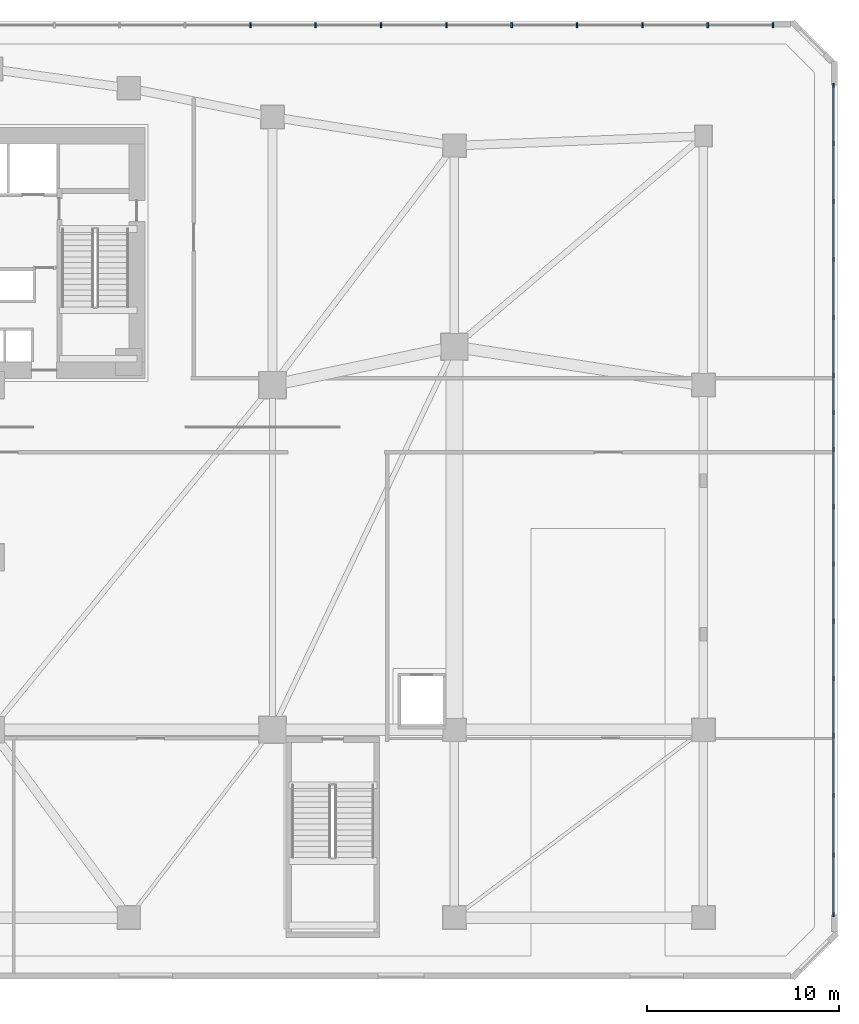
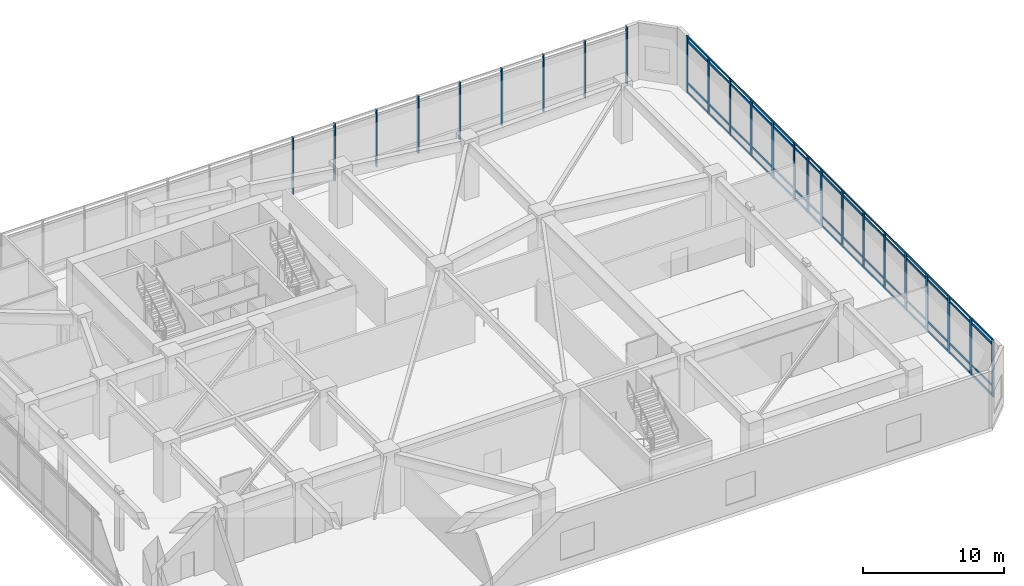
# One storey, part 7 of 16: 29 members, 2 elements without a shape of their own.
"""IFC4 building model written with IfcOpenShell, lengths in metres."""

import ifcopenshell
import ifcopenshell.guid

model = None  # the IFC model being written
_history = None  # IfcOwnerHistory: only IFC2X3 demands one
_inside = {}  # id of a spatial element -> (the spatial element, [elements in it])
_under = {}  # id of a project, library or spatial element -> (it, [spatial elements below it])
_declared = {}  # id of a project -> (the project, [libraries it declares])
_typed = {}  # id of a type object -> (the type object, [elements of that type])
_made_of = {}  # id of a material, layer set ... -> (it, [elements and type objects made of it])


def new_model(schema):
    """Start an empty IFC model of exactly this schema.

    Asked for "IFC4X3", IfcOpenShell would pick the latest addendum, in which some entities
    have other attributes; the version numbers below select the first issue.
    IFC2X3 requires an IfcOwnerHistory on every rooted entity: one is made here for all.
    """
    global model, _history
    if schema == "IFC4X3":
        model = ifcopenshell.file(schema_version=(4, 3, 0, 0))
    else:
        model = ifcopenshell.file(schema=schema)
    _inside.clear()
    _under.clear()
    _declared.clear()
    _typed.clear()
    _made_of.clear()
    _history = None
    if model.schema == "IFC2X3":
        org = make("IfcOrganization", Name="unknown")
        user = make(
            "IfcPersonAndOrganization",
            ThePerson=make("IfcPerson", FamilyName="unknown"),
            TheOrganization=org,
        )
        app = make(
            "IfcApplication",
            ApplicationDeveloper=org,
            Version="unknown",
            ApplicationFullName="unknown",
            ApplicationIdentifier="unknown",
        )
        _history = make(
            "IfcOwnerHistory",
            OwningUser=user,
            OwningApplication=app,
            ChangeAction="ADDED",
            CreationDate=0,
        )
    return model


def make(cls, **values):
    """One entity of the class cls with the attributes given. An attribute that is None is left unset."""
    return model.create_entity(
        cls, **{name: value for name, value in values.items() if value is not None}
    )


def rooted(cls, **values):
    """An entity with a GlobalId (a new one), such as an element, a storey or a relation."""
    return make(cls, GlobalId=ifcopenshell.guid.new(), OwnerHistory=_history, **values)


def si_unit(unit_type, name, prefix=None):
    """IfcSIUnit, for example si_unit("LENGTHUNIT", "METRE", prefix="MILLI")."""
    return make("IfcSIUnit", UnitType=unit_type, Prefix=prefix, Name=name)


def assignment(units):
    """IfcUnitAssignment: the units of a project."""
    return None if units is None else make("IfcUnitAssignment", Units=units)


def point(xyz):
    """IfcCartesianPoint."""
    return None if xyz is None else make("IfcCartesianPoint", Coordinates=xyz)


def direction(xyz):
    """IfcDirection."""
    return None if xyz is None else make("IfcDirection", DirectionRatios=xyz)


def frame(location, z_axis=None, x_axis=None):
    """IfcAxis2Placement3D, a coordinate frame: its origin and axes. An axis left out is left unset."""
    return make(
        "IfcAxis2Placement3D",
        Location=point(location),
        Axis=direction(z_axis),
        RefDirection=direction(x_axis),
    )


def frame_2d(location, x_axis=None):
    """IfcAxis2Placement2D, a coordinate frame in the plane: its origin and x axis."""
    return make(
        "IfcAxis2Placement2D", Location=point(location), RefDirection=direction(x_axis)
    )


def origin():
    """The frame at (0, 0, 0) with its axes left unset."""
    return frame((0.0, 0.0, 0.0))


def origin_2d():
    """The frame at (0, 0) in the plane with its x axis left unset."""
    return frame_2d((0.0, 0.0))


def place(relative_to, where):
    """IfcLocalPlacement: puts the frame where relative to a parent placement (None: the world)."""
    return make(
        "IfcLocalPlacement", PlacementRelTo=relative_to, RelativePlacement=where
    )


def context(
    kind, dimensions, precision=None, world=None, true_north=None, identifier=None
):
    """IfcGeometricRepresentationContext, for example the 3D "Model" context."""
    return make(
        "IfcGeometricRepresentationContext",
        ContextIdentifier=identifier,
        ContextType=kind,
        CoordinateSpaceDimension=dimensions,
        Precision=precision,
        WorldCoordinateSystem=world,
        TrueNorth=true_north,
    )


def subcontext(parent, identifier, kind, view, scale=None):
    """IfcGeometricRepresentationSubContext, for example "Body" below "Model"."""
    return make(
        "IfcGeometricRepresentationSubContext",
        ContextIdentifier=identifier,
        ContextType=kind,
        ParentContext=parent,
        TargetScale=scale,
        TargetView=view,
    )


def project(units=None, contexts=None):
    """IfcProject with its units and contexts."""
    return rooted(
        "IfcProject",
        Name="project",
        RepresentationContexts=contexts,
        UnitsInContext=assignment(units),
    )


def spatial(cls, under=None, at=None, **own):
    """A site, building, storey or space (cls), placed at a placement, below another one or the project."""
    s = rooted(cls, ObjectPlacement=at, **own)
    if under is not None:
        _under.setdefault(under.id(), (under, []))[1].append(s)
    return s


def profile(cls, at=None, kind="AREA", **sizes):
    """A parametric profile (cls). Its sizes go by their IFC names, for example OverallWidth=200.0."""
    return make(cls, ProfileType=kind, Position=at, **sizes)


def rectangle(**sizes):
    """IfcRectangleProfileDef."""
    return profile("IfcRectangleProfileDef", **sizes)


def extrude(swept, where, along, depth):
    """IfcExtrudedAreaSolid: the profile swept, set in the frame where, extruded along a direction by depth."""
    return make(
        "IfcExtrudedAreaSolid",
        SweptArea=swept,
        Position=where,
        ExtrudedDirection=direction(along),
        Depth=depth,
    )


def shape(context_of_items, identifier, shape_type, items):
    """IfcShapeRepresentation: the items that make up one representation, for example the "Body"."""
    return make(
        "IfcShapeRepresentation",
        ContextOfItems=context_of_items,
        RepresentationIdentifier=identifier,
        RepresentationType=shape_type,
        Items=items,
    )


def source(mapping_origin, context_of_items, identifier, shape_type, items):
    """IfcRepresentationMap: a shape defined once, which mapped items show again and again."""
    return make(
        "IfcRepresentationMap",
        MappingOrigin=mapping_origin,
        MappedRepresentation=shape(context_of_items, identifier, shape_type, items),
    )


def transform(
    local_origin,
    x_axis=None,
    y_axis=None,
    z_axis=None,
    scale=None,
    scale2=None,
    scale3=None,
    uniform=True,
):
    """IfcCartesianTransformationOperator3D, or its non-uniform kind. x_axis, y_axis, z_axis: its Axis1, 2, 3."""
    if uniform:
        return make(
            "IfcCartesianTransformationOperator3D",
            Axis1=direction(x_axis),
            Axis2=direction(y_axis),
            LocalOrigin=point(local_origin),
            Scale=scale,
            Axis3=direction(z_axis),
        )
    return make(
        "IfcCartesianTransformationOperator3DnonUniform",
        Axis1=direction(x_axis),
        Axis2=direction(y_axis),
        LocalOrigin=point(local_origin),
        Scale=scale,
        Axis3=direction(z_axis),
        Scale2=scale2,
        Scale3=scale3,
    )


def mapped(mapping_source, mapping_target):
    """IfcMappedItem: shows the shape of a source again, moved by a transform."""
    return make(
        "IfcMappedItem", MappingSource=mapping_source, MappingTarget=mapping_target
    )


def material(Name=None, Category=None):
    """IfcMaterial."""
    return make("IfcMaterial", Name=Name, Category=Category)


def material_profile(
    of_material, cross_section, Name=None, Category=None, Priority=None
):
    """IfcMaterialProfile: a cross section and its material."""
    return make(
        "IfcMaterialProfile",
        Name=Name,
        Material=of_material,
        Profile=cross_section,
        Priority=Priority,
        Category=Category,
    )


def profile_set(profiles, Name=None, composite=None):
    """IfcMaterialProfileSet."""
    return make(
        "IfcMaterialProfileSet",
        Name=Name,
        MaterialProfiles=profiles,
        CompositeProfile=composite,
    )


def made_of(thing, what):
    """Note that an element or type object is made of a material, layer set ...; save() writes the relation."""
    if what is not None:
        _made_of.setdefault(what.id(), (what, []))[1].append(thing)
    return thing


def type_object(cls, material=None, **own):
    """A type object (cls), such as IfcWallType, which elements share."""
    return made_of(rooted(cls, **own), material)


def element(
    cls,
    number,
    at=None,
    inside=None,
    cuts=None,
    type_object=None,
    material=None,
    context=None,
    identifier="Body",
    shape_type=None,
    held_by="IfcProductDefinitionShape",
    body=None,
    shapes=None,
    **own,
):
    """One element of the class cls, such as IfcWall. Its Tag is "e" and its number.

    at: its placement. inside: the storey or other place that contains it. cuts: it is an
    opening in that element (IfcRelVoidsElement). A single representation is given by context,
    identifier, shape_type and body (its items); several are given by shapes. held_by: the class
    of the entity that holds the representations. save() writes the other relations.
    """
    e = rooted(cls, Tag="e%d" % number, ObjectPlacement=at, **own)
    if body is not None:
        shapes = [shape(context, identifier, shape_type, body)]
    if shapes is not None:
        e.Representation = make(held_by, Representations=shapes)
    if inside is not None:
        _inside.setdefault(inside.id(), (inside, []))[1].append(e)
    if cuts is not None:
        rooted(
            "IfcRelVoidsElement", RelatingBuildingElement=cuts, RelatedOpeningElement=e
        )
    if type_object is not None:
        _typed.setdefault(type_object.id(), (type_object, []))[1].append(e)
    return made_of(e, material)


def aggregate(whole, parts):
    """IfcRelAggregates: a whole, such as a stair, and the parts it consists of."""
    return rooted("IfcRelAggregates", RelatingObject=whole, RelatedObjects=parts)


def save(model, path):
    """Write the relations noted so far, then the file.

    IfcRelAggregates (storeys below a building ...), IfcRelContainedInSpatialStructure (elements
    in a storey), IfcRelDefinesByType, IfcRelAssociatesMaterial and IfcRelDeclares: one each for
    every whole, place, type object, material and project.
    """
    for whole, parts in _under.values():
        aggregate(whole, parts)
    for where, things in _inside.values():
        rooted(
            "IfcRelContainedInSpatialStructure",
            RelatedElements=things,
            RelatingStructure=where,
        )
    for kind, things in _typed.values():
        rooted("IfcRelDefinesByType", RelatedObjects=things, RelatingType=kind)
    for what, things in _made_of.values():
        rooted("IfcRelAssociatesMaterial", RelatedObjects=things, RelatingMaterial=what)
    for by, libraries in _declared.values():
        rooted("IfcRelDeclares", RelatingContext=by, RelatedDefinitions=libraries)
    model.write(path)


model = new_model("IFC4")

# Units and contexts
model_context = context("Model", 3, precision=1e-05, world=origin(), true_north=direction((0.0, 1.0)))
body_context = subcontext(model_context, "Body", "Model", "MODEL_VIEW")
ifc_project = project(units=[si_unit("LENGTHUNIT", "METRE"), si_unit("AREAUNIT", "SQUARE_METRE"), si_unit("VOLUMEUNIT", "CUBIC_METRE"), si_unit("PLANEANGLEUNIT", "RADIAN"), si_unit("MASSUNIT", "GRAM", prefix="KILO")], contexts=[model_context])

# Site, building, storey
site_placement = place(None, origin())
site = spatial("IfcSite", under=ifc_project, at=site_placement, CompositionType="ELEMENT")
building_placement = place(site_placement, origin())
building = spatial("IfcBuilding", under=site, at=building_placement, Name="Calvemar Wedge Station Tower", CompositionType="ELEMENT")
storey_placement = place(building_placement, frame((0.0, 0.0, 6.0)))
storey = spatial("IfcBuildingStorey", under=building, at=storey_placement, Name="L02", CompositionType="ELEMENT", Elevation=6.0)

# Curtain wall, members
ifc_material = material(Name="Anodised aluminium 6063-T6", Category="aluminium")
curtain_wall_type = type_object("IfcCurtainWallType", Name="CW5", PredefinedType="NOTDEFINED", material=ifc_material)
curtain_wall_1_placement = place(storey_placement, origin())
curtain_wall_1 = element("IfcCurtainWall", 1, at=curtain_wall_1_placement, inside=storey, type_object=curtain_wall_type, Name="Storey L02 CW5 Recessed Unitised Curtain Wall 2", PredefinedType="NOTDEFINED")
ifc_material_profile_1 = material_profile(ifc_material, rectangle(XDim=0.0849609375, YDim=0.239990234375, at=origin_2d()), Name="AL-MUL-85x240")
ifc_profile_set_1 = profile_set([ifc_material_profile_1], Name="Anodised aluminium 6063-T6")
member_type_1 = type_object("IfcMemberType", Name="CW5-MUL", PredefinedType="MULLION", material=ifc_profile_set_1)
shared_shape_1 = source(origin(), body_context, "Body", "SweptSolid", [
    extrude(rectangle(XDim=0.0849609375, YDim=0.239990234375, at=origin_2d()), origin(), (0.0, 0.0, 1.0), 4.949951171875),
])
member_1_placement = place(storey_placement, frame((67.7900390625, 5.362060546875, -0.050048828125), z_axis=(0.0, 0.0, 1.0), x_axis=(1.0, 0.0, 0.0)))
member_1 = element("IfcMember", 2, at=member_1_placement, type_object=member_type_1, Name="CW5 mullion 1", PredefinedType="MULLION", context=body_context, shape_type="MappedRepresentation", body=[
    mapped(shared_shape_1, transform((0.0, 0.0, 0.0), scale=1.0)),
])
member_2_placement = place(storey_placement, frame((67.7900390625, 8.471435546875, -0.050048828125), z_axis=(0.0, 0.0, 1.0), x_axis=(1.0, 0.0, 0.0)))
member_2 = element("IfcMember", 3, at=member_2_placement, type_object=member_type_1, Name="CW5 mullion 2", PredefinedType="MULLION", context=body_context, shape_type="MappedRepresentation", body=[
    mapped(shared_shape_1, transform((0.0, 0.0, 0.0), scale=1.0)),
])
member_3_placement = place(storey_placement, frame((67.7900390625, 11.580810546875, -0.050048828125), z_axis=(0.0, 0.0, 1.0), x_axis=(1.0, 0.0, 0.0)))
member_3 = element("IfcMember", 4, at=member_3_placement, type_object=member_type_1, Name="CW5 mullion 3", PredefinedType="MULLION", context=body_context, shape_type="MappedRepresentation", body=[
    mapped(shared_shape_1, transform((0.0, 0.0, 0.0), scale=1.0)),
])
member_4_placement = place(storey_placement, frame((67.7900390625, 14.68994140625, -0.050048828125), z_axis=(0.0, 0.0, 1.0), x_axis=(1.0, 0.0, 0.0)))
member_4 = element("IfcMember", 5, at=member_4_placement, type_object=member_type_1, Name="CW5 mullion 4", PredefinedType="MULLION", context=body_context, shape_type="MappedRepresentation", body=[
    mapped(shared_shape_1, transform((0.0, 0.0, 0.0), scale=1.0)),
])
member_5_placement = place(storey_placement, frame((67.7900390625, 17.679931640625, -0.050048828125), z_axis=(0.0, 0.0, 1.0), x_axis=(1.0, 0.0, 0.0)))
member_5 = element("IfcMember", 6, at=member_5_placement, type_object=member_type_1, Name="CW5 mullion 5", PredefinedType="MULLION", context=body_context, shape_type="MappedRepresentation", body=[
    mapped(shared_shape_1, transform((0.0, 0.0, 0.0), scale=1.0)),
])
member_6_placement = place(storey_placement, frame((67.7900390625, 20.669921875, -0.050048828125), z_axis=(0.0, 0.0, 1.0), x_axis=(1.0, 0.0, 0.0)))
member_6 = element("IfcMember", 7, at=member_6_placement, type_object=member_type_1, Name="CW5 mullion 6", PredefinedType="MULLION", context=body_context, shape_type="MappedRepresentation", body=[
    mapped(shared_shape_1, transform((0.0, 0.0, 0.0), scale=1.0)),
])
member_7_placement = place(storey_placement, frame((67.7900390625, 23.659912109375, -0.050048828125), z_axis=(0.0, 0.0, 1.0), x_axis=(1.0, 0.0, 0.0)))
member_7 = element("IfcMember", 8, at=member_7_placement, type_object=member_type_1, Name="CW5 mullion 7", PredefinedType="MULLION", context=body_context, shape_type="MappedRepresentation", body=[
    mapped(shared_shape_1, transform((0.0, 0.0, 0.0), scale=1.0)),
])
member_8_placement = place(storey_placement, frame((67.7900390625, 26.64990234375, -0.050048828125), z_axis=(0.0, 0.0, 1.0), x_axis=(1.0, 0.0, 0.0)))
member_8 = element("IfcMember", 9, at=member_8_placement, type_object=member_type_1, Name="CW5 mullion 8", PredefinedType="MULLION", context=body_context, shape_type="MappedRepresentation", body=[
    mapped(shared_shape_1, transform((0.0, 0.0, 0.0), scale=1.0)),
])
member_9_placement = place(storey_placement, frame((67.7900390625, 29.639892578125, -0.050048828125), z_axis=(0.0, 0.0, 1.0), x_axis=(1.0, 0.0, 0.0)))
member_9 = element("IfcMember", 10, at=member_9_placement, type_object=member_type_1, Name="CW5 mullion 9", PredefinedType="MULLION", context=body_context, shape_type="MappedRepresentation", body=[
    mapped(shared_shape_1, transform((0.0, 0.0, 0.0), scale=1.0)),
])
member_10_placement = place(storey_placement, frame((67.7900390625, 31.56494140625, -0.050048828125), z_axis=(0.0, 0.0, 1.0), x_axis=(1.0, 0.0, 0.0)))
member_10 = element("IfcMember", 11, at=member_10_placement, type_object=member_type_1, Name="CW5 mullion 10", PredefinedType="MULLION", context=body_context, shape_type="MappedRepresentation", body=[
    mapped(shared_shape_1, transform((0.0, 0.0, 0.0), scale=1.0)),
])
member_11_placement = place(storey_placement, frame((67.7900390625, 33.489990234375, -0.050048828125), z_axis=(0.0, 0.0, 1.0), x_axis=(1.0, 0.0, 0.0)))
member_11 = element("IfcMember", 12, at=member_11_placement, type_object=member_type_1, Name="CW5 mullion 11", PredefinedType="MULLION", context=body_context, shape_type="MappedRepresentation", body=[
    mapped(shared_shape_1, transform((0.0, 0.0, 0.0), scale=1.0)),
])
member_12_placement = place(storey_placement, frame((67.7900390625, 36.51953125, -0.050048828125), z_axis=(0.0, 0.0, 1.0), x_axis=(1.0, 0.0, 0.0)))
member_12 = element("IfcMember", 13, at=member_12_placement, type_object=member_type_1, Name="CW5 mullion 12", PredefinedType="MULLION", context=body_context, shape_type="MappedRepresentation", body=[
    mapped(shared_shape_1, transform((0.0, 0.0, 0.0), scale=1.0)),
])
member_13_placement = place(storey_placement, frame((67.7900390625, 39.54931640625, -0.050048828125), z_axis=(0.0, 0.0, 1.0), x_axis=(1.0, 0.0, 0.0)))
member_13 = element("IfcMember", 14, at=member_13_placement, type_object=member_type_1, Name="CW5 mullion 13", PredefinedType="MULLION", context=body_context, shape_type="MappedRepresentation", body=[
    mapped(shared_shape_1, transform((0.0, 0.0, 0.0), scale=1.0)),
])
member_14_placement = place(storey_placement, frame((67.7900390625, 42.57861328125, -0.050048828125), z_axis=(0.0, 0.0, 1.0), x_axis=(1.0, 0.0, 0.0)))
member_14 = element("IfcMember", 15, at=member_14_placement, type_object=member_type_1, Name="CW5 mullion 14", PredefinedType="MULLION", context=body_context, shape_type="MappedRepresentation", body=[
    mapped(shared_shape_1, transform((0.0, 0.0, 0.0), scale=1.0)),
])
member_15_placement = place(storey_placement, frame((67.7900390625, 45.6083984375, -0.050048828125), z_axis=(0.0, 0.0, 1.0), x_axis=(1.0, 0.0, 0.0)))
member_15 = element("IfcMember", 16, at=member_15_placement, type_object=member_type_1, Name="CW5 mullion 15", PredefinedType="MULLION", context=body_context, shape_type="MappedRepresentation", body=[
    mapped(shared_shape_1, transform((0.0, 0.0, 0.0), scale=1.0)),
])
member_16_placement = place(storey_placement, frame((67.7900390625, 48.637939453125, -0.050048828125), z_axis=(0.0, 0.0, 1.0), x_axis=(1.0, 0.0, 0.0)))
member_16 = element("IfcMember", 17, at=member_16_placement, type_object=member_type_1, Name="CW5 mullion 16", PredefinedType="MULLION", context=body_context, shape_type="MappedRepresentation", body=[
    mapped(shared_shape_1, transform((0.0, 0.0, 0.0), scale=1.0)),
])

curtain_wall_2_placement = place(storey_placement, origin())
curtain_wall_2 = element("IfcCurtainWall", 18, at=curtain_wall_2_placement, inside=storey, type_object=curtain_wall_type, Name="Storey L02 CW5 Recessed Unitised Curtain Wall 4", PredefinedType="NOTDEFINED")
member_17_placement = place(storey_placement, frame((64.637939453125, 51.7900390625, -0.050048828125), z_axis=(0.0, 0.0, 1.0), x_axis=(1.0, 0.0, 0.0)))
member_17 = element("IfcMember", 19, at=member_17_placement, type_object=member_type_1, Name="CW5 mullion 1", PredefinedType="MULLION", context=body_context, shape_type="MappedRepresentation", body=[
    mapped(shared_shape_1, transform((0.0, 0.0, 0.0), scale=1.0)),
])
member_18_placement = place(storey_placement, frame((61.22607421875, 51.7900390625, -0.050048828125), z_axis=(0.0, 0.0, 1.0), x_axis=(1.0, 0.0, 0.0)))
member_18 = element("IfcMember", 20, at=member_18_placement, type_object=member_type_1, Name="CW5 mullion 2", PredefinedType="MULLION", context=body_context, shape_type="MappedRepresentation", body=[
    mapped(shared_shape_1, transform((0.0, 0.0, 0.0), scale=1.0)),
])
member_19_placement = place(storey_placement, frame((57.814208984375, 51.7900390625, -0.050048828125), z_axis=(0.0, 0.0, 1.0), x_axis=(1.0, 0.0, 0.0)))
member_19 = element("IfcMember", 21, at=member_19_placement, type_object=member_type_1, Name="CW5 mullion 3", PredefinedType="MULLION", context=body_context, shape_type="MappedRepresentation", body=[
    mapped(shared_shape_1, transform((0.0, 0.0, 0.0), scale=1.0)),
])
member_20_placement = place(storey_placement, frame((54.40234375, 51.7900390625, -0.050048828125), z_axis=(0.0, 0.0, 1.0), x_axis=(1.0, 0.0, 0.0)))
member_20 = element("IfcMember", 22, at=member_20_placement, type_object=member_type_1, Name="CW5 mullion 4", PredefinedType="MULLION", context=body_context, shape_type="MappedRepresentation", body=[
    mapped(shared_shape_1, transform((0.0, 0.0, 0.0), scale=1.0)),
])
member_21_placement = place(storey_placement, frame((50.990478515625, 51.7900390625, -0.050048828125), z_axis=(0.0, 0.0, 1.0), x_axis=(1.0, 0.0, 0.0)))
member_21 = element("IfcMember", 23, at=member_21_placement, type_object=member_type_1, Name="CW5 mullion 5", PredefinedType="MULLION", context=body_context, shape_type="MappedRepresentation", body=[
    mapped(shared_shape_1, transform((0.0, 0.0, 0.0), scale=1.0)),
])
member_22_placement = place(storey_placement, frame((47.57861328125, 51.7900390625, -0.050048828125), z_axis=(0.0, 0.0, 1.0), x_axis=(1.0, 0.0, 0.0)))
member_22 = element("IfcMember", 24, at=member_22_placement, type_object=member_type_1, Name="CW5 mullion 6", PredefinedType="MULLION", context=body_context, shape_type="MappedRepresentation", body=[
    mapped(shared_shape_1, transform((0.0, 0.0, 0.0), scale=1.0)),
])
member_23_placement = place(storey_placement, frame((44.166748046875, 51.7900390625, -0.050048828125), z_axis=(0.0, 0.0, 1.0), x_axis=(1.0, 0.0, 0.0)))
member_23 = element("IfcMember", 25, at=member_23_placement, type_object=member_type_1, Name="CW5 mullion 7", PredefinedType="MULLION", context=body_context, shape_type="MappedRepresentation", body=[
    mapped(shared_shape_1, transform((0.0, 0.0, 0.0), scale=1.0)),
])
member_24_placement = place(storey_placement, frame((40.7548828125, 51.7900390625, -0.050048828125), z_axis=(0.0, 0.0, 1.0), x_axis=(1.0, 0.0, 0.0)))
member_24 = element("IfcMember", 26, at=member_24_placement, type_object=member_type_1, Name="CW5 mullion 8", PredefinedType="MULLION", context=body_context, shape_type="MappedRepresentation", body=[
    mapped(shared_shape_1, transform((0.0, 0.0, 0.0), scale=1.0)),
])
member_25_placement = place(storey_placement, frame((37.343017578125, 51.7900390625, -0.050048828125), z_axis=(0.0, 0.0, 1.0), x_axis=(1.0, 0.0, 0.0)))
member_25 = element("IfcMember", 27, at=member_25_placement, type_object=member_type_1, Name="CW5 mullion 9", PredefinedType="MULLION", context=body_context, shape_type="MappedRepresentation", body=[
    mapped(shared_shape_1, transform((0.0, 0.0, 0.0), scale=1.0)),
])
aggregate(curtain_wall_2, [member_17, member_18, member_19, member_20, member_21, member_22, member_23, member_24, member_25])

# Member
ifc_material_profile_2 = material_profile(ifc_material, rectangle(XDim=0.0849609375, YDim=0.169921875, at=origin_2d()), Name="AL-TRN-85x170")
ifc_profile_set_2 = profile_set([ifc_material_profile_2], Name="Anodised aluminium 6063-T6")
member_type_2 = type_object("IfcMemberType", Name="CW5-TRN", PredefinedType="USERDEFINED", material=ifc_profile_set_2)
shared_shape_2 = source(origin(), body_context, "Body", "SweptSolid", [
    extrude(rectangle(XDim=0.0849609375, YDim=0.169921875, at=origin_2d()), origin(), (0.0, 0.0, 1.0), 43.27587890625),
])
member_26_placement = place(storey_placement, frame((67.7900390625, 5.362060546875, 0.06005859375), z_axis=(0.0, 1.0, 0.0), x_axis=(-1.0, 0.0, 0.0)))
member_26 = element("IfcMember", 28, at=member_26_placement, type_object=member_type_2, Name="CW5 transom 1", ObjectType="TRANSOM", PredefinedType="USERDEFINED", context=body_context, shape_type="MappedRepresentation", body=[
    mapped(shared_shape_2, transform((0.0, 0.0, 0.0), scale=1.0)),
])

member_27_placement = place(storey_placement, frame((67.7900390625, 5.362060546875, 0.85009765625), z_axis=(0.0, 1.0, 0.0), x_axis=(-1.0, 0.0, 0.0)))
member_27 = element("IfcMember", 29, at=member_27_placement, type_object=member_type_2, Name="CW5 transom 2", ObjectType="TRANSOM", PredefinedType="USERDEFINED", context=body_context, shape_type="MappedRepresentation", body=[
    mapped(shared_shape_2, transform((0.0, 0.0, 0.0), scale=1.0)),
])

member_28_placement = place(storey_placement, frame((67.7900390625, 5.362060546875, 4.449951171875), z_axis=(0.0, 1.0, 0.0), x_axis=(-1.0, 0.0, 0.0)))
member_28 = element("IfcMember", 30, at=member_28_placement, type_object=member_type_2, Name="CW5 transom 3", ObjectType="TRANSOM", PredefinedType="USERDEFINED", context=body_context, shape_type="MappedRepresentation", body=[
    mapped(shared_shape_2, transform((0.0, 0.0, 0.0), scale=1.0)),
])

member_29_placement = place(storey_placement, frame((67.7900390625, 5.362060546875, 4.840087890625), z_axis=(0.0, 1.0, 0.0), x_axis=(-1.0, 0.0, 0.0)))
member_29 = element("IfcMember", 31, at=member_29_placement, type_object=member_type_2, Name="CW5 transom 4", ObjectType="TRANSOM", PredefinedType="USERDEFINED", context=body_context, shape_type="MappedRepresentation", body=[
    mapped(shared_shape_2, transform((0.0, 0.0, 0.0), scale=1.0)),
])

aggregate(curtain_wall_1, [member_1, member_2, member_3, member_4, member_5, member_6, member_7, member_8, member_9, member_10, member_11, member_12, member_13, member_14, member_15, member_16, member_26, member_27, member_28, member_29])

save(model, "model.ifc")
